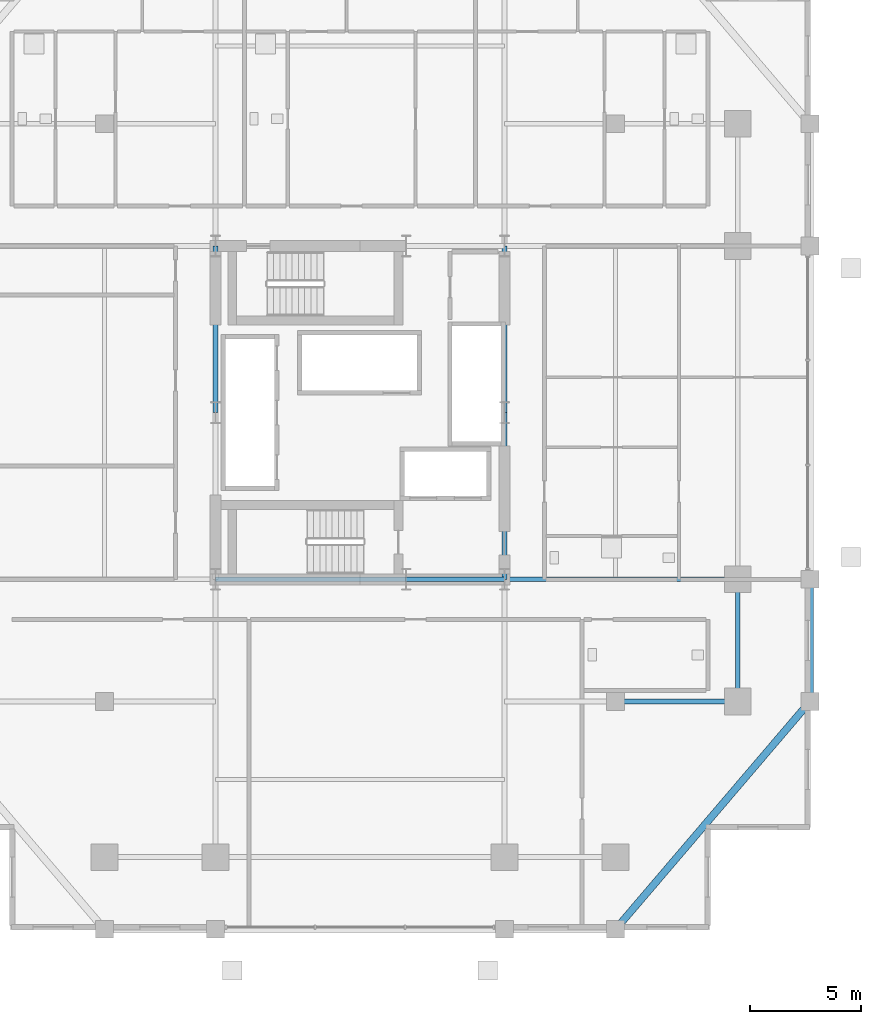
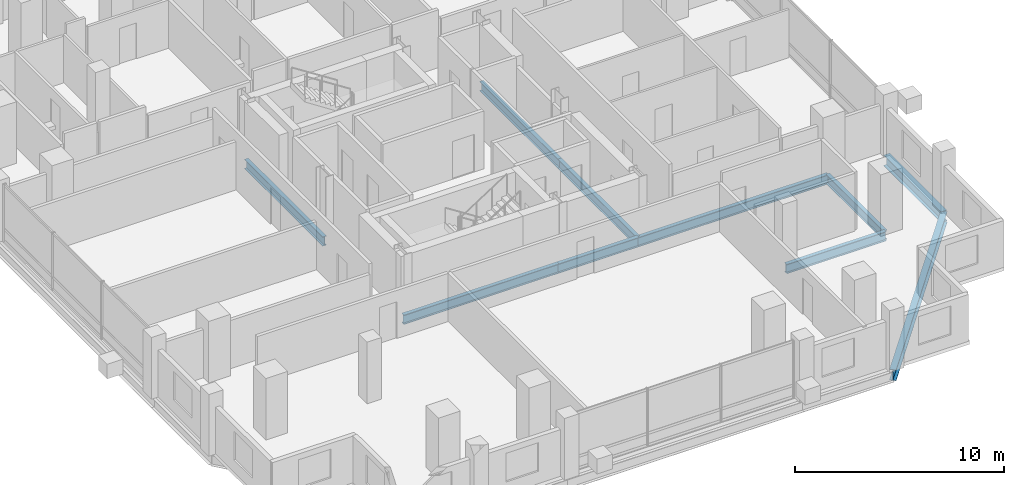
# One storey, part 6 of 19: 10 beams.
"""IFC4 building model written with IfcOpenShell, lengths in metres."""

import ifcopenshell
import ifcopenshell.guid

model = None  # the IFC model being written
_history = None  # IfcOwnerHistory: only IFC2X3 demands one
_inside = {}  # id of a spatial element -> (the spatial element, [elements in it])
_under = {}  # id of a project, library or spatial element -> (it, [spatial elements below it])
_declared = {}  # id of a project -> (the project, [libraries it declares])
_typed = {}  # id of a type object -> (the type object, [elements of that type])
_made_of = {}  # id of a material, layer set ... -> (it, [elements and type objects made of it])


def new_model(schema):
    """Start an empty IFC model of exactly this schema.

    Asked for "IFC4X3", IfcOpenShell would pick the latest addendum, in which some entities
    have other attributes; the version numbers below select the first issue.
    IFC2X3 requires an IfcOwnerHistory on every rooted entity: one is made here for all.
    """
    global model, _history
    if schema == "IFC4X3":
        model = ifcopenshell.file(schema_version=(4, 3, 0, 0))
    else:
        model = ifcopenshell.file(schema=schema)
    _inside.clear()
    _under.clear()
    _declared.clear()
    _typed.clear()
    _made_of.clear()
    _history = None
    if model.schema == "IFC2X3":
        org = make("IfcOrganization", Name="unknown")
        user = make(
            "IfcPersonAndOrganization",
            ThePerson=make("IfcPerson", FamilyName="unknown"),
            TheOrganization=org,
        )
        app = make(
            "IfcApplication",
            ApplicationDeveloper=org,
            Version="unknown",
            ApplicationFullName="unknown",
            ApplicationIdentifier="unknown",
        )
        _history = make(
            "IfcOwnerHistory",
            OwningUser=user,
            OwningApplication=app,
            ChangeAction="ADDED",
            CreationDate=0,
        )
    return model


def make(cls, **values):
    """One entity of the class cls with the attributes given. An attribute that is None is left unset."""
    return model.create_entity(
        cls, **{name: value for name, value in values.items() if value is not None}
    )


def rooted(cls, **values):
    """An entity with a GlobalId (a new one), such as an element, a storey or a relation."""
    return make(cls, GlobalId=ifcopenshell.guid.new(), OwnerHistory=_history, **values)


def si_unit(unit_type, name, prefix=None):
    """IfcSIUnit, for example si_unit("LENGTHUNIT", "METRE", prefix="MILLI")."""
    return make("IfcSIUnit", UnitType=unit_type, Prefix=prefix, Name=name)


def assignment(units):
    """IfcUnitAssignment: the units of a project."""
    return None if units is None else make("IfcUnitAssignment", Units=units)


def point(xyz):
    """IfcCartesianPoint."""
    return None if xyz is None else make("IfcCartesianPoint", Coordinates=xyz)


def direction(xyz):
    """IfcDirection."""
    return None if xyz is None else make("IfcDirection", DirectionRatios=xyz)


def frame(location, z_axis=None, x_axis=None):
    """IfcAxis2Placement3D, a coordinate frame: its origin and axes. An axis left out is left unset."""
    return make(
        "IfcAxis2Placement3D",
        Location=point(location),
        Axis=direction(z_axis),
        RefDirection=direction(x_axis),
    )


def frame_2d(location, x_axis=None):
    """IfcAxis2Placement2D, a coordinate frame in the plane: its origin and x axis."""
    return make(
        "IfcAxis2Placement2D", Location=point(location), RefDirection=direction(x_axis)
    )


def origin():
    """The frame at (0, 0, 0) with its axes left unset."""
    return frame((0.0, 0.0, 0.0))


def origin_2d():
    """The frame at (0, 0) in the plane with its x axis left unset."""
    return frame_2d((0.0, 0.0))


def place(relative_to, where):
    """IfcLocalPlacement: puts the frame where relative to a parent placement (None: the world)."""
    return make(
        "IfcLocalPlacement", PlacementRelTo=relative_to, RelativePlacement=where
    )


def context(
    kind, dimensions, precision=None, world=None, true_north=None, identifier=None
):
    """IfcGeometricRepresentationContext, for example the 3D "Model" context."""
    return make(
        "IfcGeometricRepresentationContext",
        ContextIdentifier=identifier,
        ContextType=kind,
        CoordinateSpaceDimension=dimensions,
        Precision=precision,
        WorldCoordinateSystem=world,
        TrueNorth=true_north,
    )


def subcontext(parent, identifier, kind, view, scale=None):
    """IfcGeometricRepresentationSubContext, for example "Body" below "Model"."""
    return make(
        "IfcGeometricRepresentationSubContext",
        ContextIdentifier=identifier,
        ContextType=kind,
        ParentContext=parent,
        TargetScale=scale,
        TargetView=view,
    )


def project(units=None, contexts=None):
    """IfcProject with its units and contexts."""
    return rooted(
        "IfcProject",
        Name="project",
        RepresentationContexts=contexts,
        UnitsInContext=assignment(units),
    )


def spatial(cls, under=None, at=None, **own):
    """A site, building, storey or space (cls), placed at a placement, below another one or the project."""
    s = rooted(cls, ObjectPlacement=at, **own)
    if under is not None:
        _under.setdefault(under.id(), (under, []))[1].append(s)
    return s


def profile(cls, at=None, kind="AREA", **sizes):
    """A parametric profile (cls). Its sizes go by their IFC names, for example OverallWidth=200.0."""
    return make(cls, ProfileType=kind, Position=at, **sizes)


def i_section(**sizes):
    """IfcIShapeProfileDef."""
    return profile("IfcIShapeProfileDef", **sizes)


def extrude(swept, where, along, depth):
    """IfcExtrudedAreaSolid: the profile swept, set in the frame where, extruded along a direction by depth."""
    return make(
        "IfcExtrudedAreaSolid",
        SweptArea=swept,
        Position=where,
        ExtrudedDirection=direction(along),
        Depth=depth,
    )


def shape(context_of_items, identifier, shape_type, items):
    """IfcShapeRepresentation: the items that make up one representation, for example the "Body"."""
    return make(
        "IfcShapeRepresentation",
        ContextOfItems=context_of_items,
        RepresentationIdentifier=identifier,
        RepresentationType=shape_type,
        Items=items,
    )


def material(Name=None, Category=None):
    """IfcMaterial."""
    return make("IfcMaterial", Name=Name, Category=Category)


def material_profile(
    of_material, cross_section, Name=None, Category=None, Priority=None
):
    """IfcMaterialProfile: a cross section and its material."""
    return make(
        "IfcMaterialProfile",
        Name=Name,
        Material=of_material,
        Profile=cross_section,
        Priority=Priority,
        Category=Category,
    )


def profile_set(profiles, Name=None, composite=None):
    """IfcMaterialProfileSet."""
    return make(
        "IfcMaterialProfileSet",
        Name=Name,
        MaterialProfiles=profiles,
        CompositeProfile=composite,
    )


def made_of(thing, what):
    """Note that an element or type object is made of a material, layer set ...; save() writes the relation."""
    if what is not None:
        _made_of.setdefault(what.id(), (what, []))[1].append(thing)
    return thing


def type_object(cls, material=None, **own):
    """A type object (cls), such as IfcWallType, which elements share."""
    return made_of(rooted(cls, **own), material)


def element(
    cls,
    number,
    at=None,
    inside=None,
    cuts=None,
    type_object=None,
    material=None,
    context=None,
    identifier="Body",
    shape_type=None,
    held_by="IfcProductDefinitionShape",
    body=None,
    shapes=None,
    **own,
):
    """One element of the class cls, such as IfcWall. Its Tag is "e" and its number.

    at: its placement. inside: the storey or other place that contains it. cuts: it is an
    opening in that element (IfcRelVoidsElement). A single representation is given by context,
    identifier, shape_type and body (its items); several are given by shapes. held_by: the class
    of the entity that holds the representations. save() writes the other relations.
    """
    e = rooted(cls, Tag="e%d" % number, ObjectPlacement=at, **own)
    if body is not None:
        shapes = [shape(context, identifier, shape_type, body)]
    if shapes is not None:
        e.Representation = make(held_by, Representations=shapes)
    if inside is not None:
        _inside.setdefault(inside.id(), (inside, []))[1].append(e)
    if cuts is not None:
        rooted(
            "IfcRelVoidsElement", RelatingBuildingElement=cuts, RelatedOpeningElement=e
        )
    if type_object is not None:
        _typed.setdefault(type_object.id(), (type_object, []))[1].append(e)
    return made_of(e, material)


def aggregate(whole, parts):
    """IfcRelAggregates: a whole, such as a stair, and the parts it consists of."""
    return rooted("IfcRelAggregates", RelatingObject=whole, RelatedObjects=parts)


def save(model, path):
    """Write the relations noted so far, then the file.

    IfcRelAggregates (storeys below a building ...), IfcRelContainedInSpatialStructure (elements
    in a storey), IfcRelDefinesByType, IfcRelAssociatesMaterial and IfcRelDeclares: one each for
    every whole, place, type object, material and project.
    """
    for whole, parts in _under.values():
        aggregate(whole, parts)
    for where, things in _inside.values():
        rooted(
            "IfcRelContainedInSpatialStructure",
            RelatedElements=things,
            RelatingStructure=where,
        )
    for kind, things in _typed.values():
        rooted("IfcRelDefinesByType", RelatedObjects=things, RelatingType=kind)
    for what, things in _made_of.values():
        rooted("IfcRelAssociatesMaterial", RelatedObjects=things, RelatingMaterial=what)
    for by, libraries in _declared.values():
        rooted("IfcRelDeclares", RelatingContext=by, RelatedDefinitions=libraries)
    model.write(path)


model = new_model("IFC4")

# Units and contexts
model_context = context("Model", 3, precision=1e-05, world=origin(), true_north=direction((0.0, 1.0)))
body_context = subcontext(model_context, "Body", "Model", "MODEL_VIEW")
ifc_project = project(units=[si_unit("LENGTHUNIT", "METRE"), si_unit("AREAUNIT", "SQUARE_METRE"), si_unit("VOLUMEUNIT", "CUBIC_METRE"), si_unit("PLANEANGLEUNIT", "RADIAN"), si_unit("MASSUNIT", "GRAM", prefix="KILO")], contexts=[model_context])

# Site, building, storey
site_placement = place(None, origin())
site = spatial("IfcSite", under=ifc_project, at=site_placement, CompositionType="ELEMENT")
building_placement = place(site_placement, origin())
building = spatial("IfcBuilding", under=site, at=building_placement, Name="Barlavira Tower and Art Museum", CompositionType="ELEMENT")
storey_placement = place(building_placement, frame((0.0, 0.0, 113.39990234375)))
storey = spatial("IfcBuildingStorey", under=building, at=storey_placement, Name="L28", CompositionType="ELEMENT", Elevation=113.39990234375)

# Beams
ifc_material = material(Name="Steel S355", Category="steel")
ifc_material_profile_1 = material_profile(ifc_material, i_section(OverallWidth=0.327880859375, OverallDepth=0.62890625, WebThickness=0.013916015625, FlangeThickness=0.021484375, at=origin_2d()), Name="W610x174.0")
ifc_profile_set_1 = profile_set([ifc_material_profile_1], Name="Steel S355")
beam_type_1 = type_object("IfcBeamType", Name="Perimeter Spandrel Edge Beam W610x174 Steel S355", PredefinedType="SPANDREL", material=ifc_profile_set_1)
beam_1_placement = place(storey_placement, frame((11.5, -23.25, -0.534423828125), z_axis=(0.649262379928, 0.760564502202, 0.0), x_axis=(-0.760564502202, 0.649262379928, 0.0)))
element("IfcBeam", 1, at=beam_1_placement, inside=storey, type_object=beam_type_1, Name="L28 Spandrel 4", PredefinedType="SPANDREL", context=body_context, shape_type="SweptSolid", body=[
    extrude(i_section(OverallWidth=0.327880859375, OverallDepth=0.62890625, WebThickness=0.013916015625, FlangeThickness=0.021484375, at=origin_2d()), origin(), (0.0, 0.0, 1.0), 13.476806640625),
])
beam_2_placement = place(storey_placement, frame((20.25, -13.0, -0.534423828125), z_axis=(0.0, 1.0, 0.0), x_axis=(-1.0, 0.0, 0.0)))
element("IfcBeam", 2, at=beam_2_placement, inside=storey, type_object=beam_type_1, Name="L28 Spandrel 5", PredefinedType="SPANDREL", context=body_context, shape_type="SweptSolid", body=[
    extrude(i_section(OverallWidth=0.327880859375, OverallDepth=0.62890625, WebThickness=0.013916015625, FlangeThickness=0.021484375, at=origin_2d()), origin(), (0.0, 0.0, 1.0), 5.5),
])
ifc_material_profile_2 = material_profile(ifc_material, i_section(OverallWidth=0.214111328125, OverallDepth=0.549072265625, WebThickness=0.0146484375, FlangeThickness=0.023681640625, at=origin_2d()), Name="W530x138.0")
ifc_profile_set_2 = profile_set([ifc_material_profile_2], Name="Steel S355")
beam_type_2 = type_object("IfcBeamType", Name="Zone 1 Primary Floor Girder W530x138 Steel S355", PredefinedType="BEAM", material=ifc_profile_set_2)
beam_3_placement = place(storey_placement, frame((-6.5, -7.5, -0.494384765625), z_axis=(1.0, 0.0, 0.0), x_axis=(0.0, 1.0, 0.0)))
element("IfcBeam", 3, at=beam_3_placement, inside=storey, type_object=beam_type_2, Name="L28 Girder C-S1", PredefinedType="BEAM", context=body_context, shape_type="SweptSolid", body=[
    extrude(i_section(OverallWidth=0.214111328125, OverallDepth=0.549072265625, WebThickness=0.0146484375, FlangeThickness=0.023681640625, at=origin_2d()), origin(), (0.0, 0.0, 1.0), 8.580078125),
])
beam_4_placement = place(storey_placement, frame((2.080078125, -7.5, -0.494384765625), z_axis=(1.0, 0.0, 0.0), x_axis=(0.0, 1.0, 0.0)))
element("IfcBeam", 4, at=beam_4_placement, inside=storey, type_object=beam_type_2, Name="L28 Girder C-S2", PredefinedType="BEAM", context=body_context, shape_type="SweptSolid", body=[
    extrude(i_section(OverallWidth=0.214111328125, OverallDepth=0.549072265625, WebThickness=0.0146484375, FlangeThickness=0.023681640625, at=origin_2d()), origin(), (0.0, 0.0, 1.0), 4.419921875),
])
for number, where, z_axis, x_axis, name in (
    (5, (-6.5, 0.0, -0.494384765625), (0.0, 1.0, 0.0), (-1.0, 0.0, 0.0), "L28 Girder C-W2"),
    (6, (6.5, -7.5, -0.494384765625), (0.0, 1.0, 0.0), (-1.0, 0.0, 0.0), "L28 Girder C-E1"),
    (7, (6.5, 0.0, -0.494384765625), (0.0, 1.0, 0.0), (-1.0, 0.0, 0.0), "L28 Girder C-E2"),
):
    element("IfcBeam", number, at=place(storey_placement, frame(where, z_axis=z_axis, x_axis=x_axis)), inside=storey, type_object=beam_type_2, Name=name, PredefinedType="BEAM", context=body_context, shape_type="SweptSolid", body=[
        extrude(i_section(OverallWidth=0.214111328125, OverallDepth=0.549072265625, WebThickness=0.0146484375, FlangeThickness=0.023681640625, at=origin_2d()), origin(), (0.0, 0.0, 1.0), 7.5),
    ])
beam_5_placement = place(storey_placement, frame((17.0, -13.0, -0.494384765625), z_axis=(0.0, 1.0, 0.0), x_axis=(-1.0, 0.0, 0.0)))
element("IfcBeam", 8, at=beam_5_placement, inside=storey, type_object=beam_type_2, Name="L28 Girder M-E1", PredefinedType="BEAM", context=body_context, shape_type="SweptSolid", body=[
    extrude(i_section(OverallWidth=0.214111328125, OverallDepth=0.549072265625, WebThickness=0.0146484375, FlangeThickness=0.023681640625, at=origin_2d()), origin(), (0.0, 0.0, 1.0), 5.5),
])
beam_6_placement = place(storey_placement, frame((6.5, -7.5, -0.494384765625), z_axis=(1.0, 0.0, 0.0), x_axis=(0.0, 1.0, 0.0)))
element("IfcBeam", 9, at=beam_6_placement, inside=storey, type_object=beam_type_2, Name="L28 Girder R-E1", PredefinedType="BEAM", context=body_context, shape_type="SweptSolid", body=[
    extrude(i_section(OverallWidth=0.214111328125, OverallDepth=0.549072265625, WebThickness=0.0146484375, FlangeThickness=0.023681640625, at=origin_2d()), origin(), (0.0, 0.0, 1.0), 10.5),
])
beam_7_placement = place(storey_placement, frame((11.5, -13.0, -0.494384765625), z_axis=(1.0, 0.0, 0.0), x_axis=(0.0, 1.0, 0.0)))
element("IfcBeam", 10, at=beam_7_placement, inside=storey, type_object=beam_type_2, Name="L28 Girder I-S4", PredefinedType="BEAM", context=body_context, shape_type="SweptSolid", body=[
    extrude(i_section(OverallWidth=0.214111328125, OverallDepth=0.549072265625, WebThickness=0.0146484375, FlangeThickness=0.023681640625, at=origin_2d()), origin(), (0.0, 0.0, 1.0), 5.5),
])

save(model, "model.ifc")
